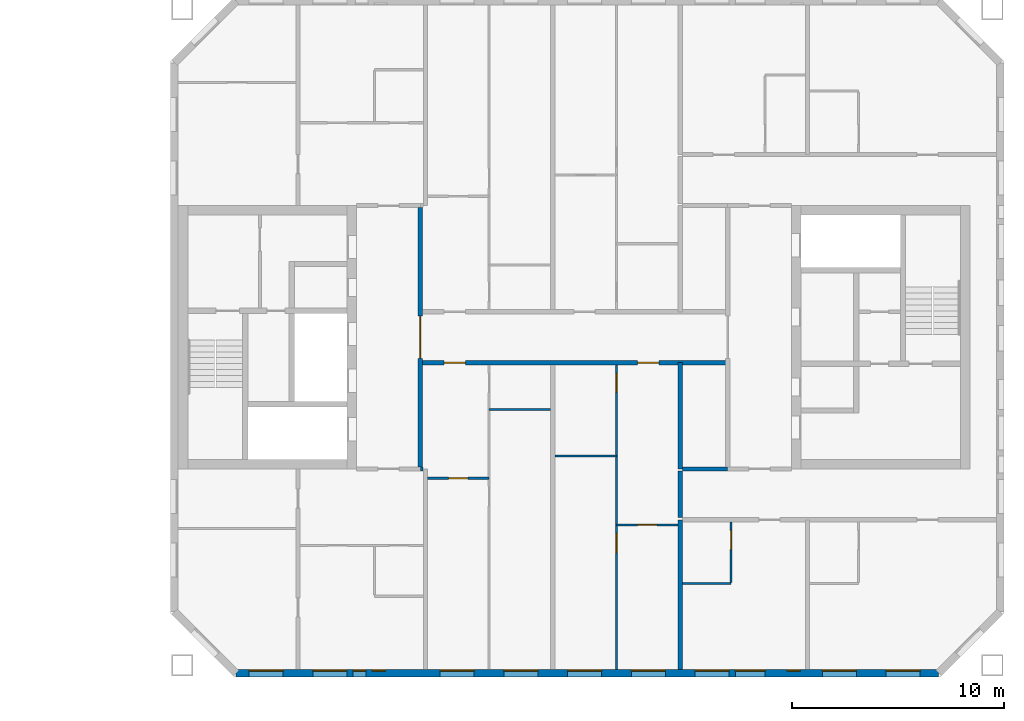
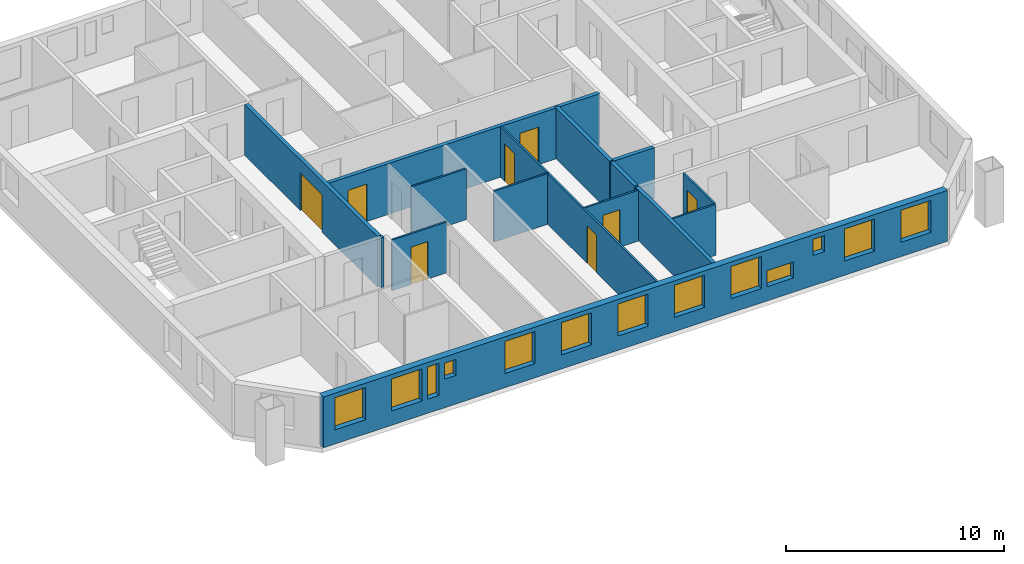
# One storey, part 10 of 16: 15 walls, 13 windows, 8 doors, 21 openings.
"""IFC4 building model written with IfcOpenShell, lengths in metres."""

from ifc_helpers import new_model, si_unit, direction, frame, frame_2d, origin, place, context, subcontext, project, spatial, rectangle, extrude, material, layer, layer_set, type_object, element, fill, save


model = new_model("IFC4")

# Units and contexts
model_context = context("Model", 3, precision=1e-05, world=origin(), true_north=direction((0.0, 1.0)))
body_context = subcontext(model_context, "Body", "Model", "MODEL_VIEW")
ifc_project = project(units=[si_unit("LENGTHUNIT", "METRE"), si_unit("AREAUNIT", "SQUARE_METRE"), si_unit("VOLUMEUNIT", "CUBIC_METRE"), si_unit("PLANEANGLEUNIT", "RADIAN"), si_unit("MASSUNIT", "GRAM", prefix="KILO")], contexts=[model_context])

# Site, building, storey
site_placement = place(None, origin())
site = spatial("IfcSite", under=ifc_project, at=site_placement, CompositionType="ELEMENT")
building_placement = place(site_placement, origin())
building = spatial("IfcBuilding", under=site, at=building_placement, Name="Tuart Gate Housing", CompositionType="ELEMENT")
storey_placement = place(building_placement, frame((0.0, 0.0, 182.0)))
storey = spatial("IfcBuildingStorey", under=building, at=storey_placement, Name="L51", CompositionType="ELEMENT", Elevation=182.0)

# Wall, openings, windows
ifc_material_1 = material(Name="Brick", Category="masonry")
ifc_layer_1 = layer(ifc_material_1, 0.360107421875)
ifc_layer_set_1 = layer_set([ifc_layer_1], Name="Brick pier and spandrel wall 360")
wall_type_1 = type_object("IfcWallType", Name="Brick pier and spandrel wall 360", PredefinedType="STANDARD", material=ifc_layer_set_1)
wall_1_placement = place(storey_placement, frame((134.07470703125, 54.179931640625, 0.0), z_axis=(0.0, 0.0, 1.0), x_axis=(1.0, 0.0, 0.0)))
wall_1 = element("IfcWall", 1, at=wall_1_placement, inside=storey, type_object=wall_type_1, Name="External wall B-S L51", PredefinedType="STANDARD", context=body_context, shape_type="SweptSolid", body=[
    extrude(rectangle(XDim=33.100830078125, YDim=0.360107421875, at=frame_2d((16.55029296875, 0.0))), origin(), (0.0, 0.0, 1.0), 2.85009765625),
])
opening_1_placement = place(wall_1_placement, frame((0.62548828125, 0.0, 0.800048828125)))
opening_1 = element("IfcOpeningElement", 2, at=opening_1_placement, cuts=wall_1, Name="Opening W1", PredefinedType="OPENING", context=body_context, shape_type="SweptSolid", body=[
    extrude(rectangle(XDim=1.60009765625, YDim=1.800048828125, at=frame_2d((0.800048828125, 0.89990234375))), frame((0.0, 0.18994140625, 0.0), z_axis=(0.0, -1.0, 0.0), x_axis=(1.0, 0.0, 0.0)), (0.0, 0.0, 1.0), 0.380126953125),
])
opening_2_placement = place(wall_1_placement, frame((3.62548828125, 0.0, 0.800048828125)))
opening_2 = element("IfcOpeningElement", 3, at=opening_2_placement, cuts=wall_1, Name="Opening W1", PredefinedType="OPENING", context=body_context, shape_type="SweptSolid", body=[
    extrude(rectangle(XDim=1.60009765625, YDim=1.800048828125, at=frame_2d((0.800048828125, 0.89990234375))), frame((0.0, 0.18994140625, 0.0), z_axis=(0.0, -1.0, 0.0), x_axis=(1.0, 0.0, 0.0)), (0.0, 0.0, 1.0), 0.380126953125),
])
opening_3_placement = place(wall_1_placement, frame((5.525390625, 0.0, 0.800048828125)))
opening_3 = element("IfcOpeningElement", 4, at=opening_3_placement, cuts=wall_1, Name="Opening W1E", PredefinedType="OPENING", context=body_context, shape_type="SweptSolid", body=[
    extrude(rectangle(XDim=0.60009765625, YDim=1.800048828125, at=frame_2d((0.300048828125, 0.89990234375))), frame((0.0, 0.18994140625, 0.0), z_axis=(0.0, -1.0, 0.0), x_axis=(1.0, 0.0, 0.0)), (0.0, 0.0, 1.0), 0.380126953125),
])
opening_4_placement = place(wall_1_placement, frame((9.62548828125, 0.0, 0.800048828125)))
opening_4 = element("IfcOpeningElement", 5, at=opening_4_placement, cuts=wall_1, Name="Opening W1", PredefinedType="OPENING", context=body_context, shape_type="SweptSolid", body=[
    extrude(rectangle(XDim=1.60009765625, YDim=1.800048828125, at=frame_2d((0.800048828125, 0.89990234375))), frame((0.0, 0.18994140625, 0.0), z_axis=(0.0, -1.0, 0.0), x_axis=(1.0, 0.0, 0.0)), (0.0, 0.0, 1.0), 0.380126953125),
])
opening_5_placement = place(wall_1_placement, frame((12.62548828125, 0.0, 0.800048828125)))
opening_5 = element("IfcOpeningElement", 6, at=opening_5_placement, cuts=wall_1, Name="Opening W1", PredefinedType="OPENING", context=body_context, shape_type="SweptSolid", body=[
    extrude(rectangle(XDim=1.60009765625, YDim=1.800048828125, at=frame_2d((0.800048828125, 0.89990234375))), frame((0.0, 0.18994140625, 0.0), z_axis=(0.0, -1.0, 0.0), x_axis=(1.0, 0.0, 0.0)), (0.0, 0.0, 1.0), 0.380126953125),
])
opening_6_placement = place(wall_1_placement, frame((15.62548828125, 0.0, 0.800048828125)))
opening_6 = element("IfcOpeningElement", 7, at=opening_6_placement, cuts=wall_1, Name="Opening W1", PredefinedType="OPENING", context=body_context, shape_type="SweptSolid", body=[
    extrude(rectangle(XDim=1.60009765625, YDim=1.800048828125, at=frame_2d((0.800048828125, 0.89990234375))), frame((0.0, 0.18994140625, 0.0), z_axis=(0.0, -1.0, 0.0), x_axis=(1.0, 0.0, 0.0)), (0.0, 0.0, 1.0), 0.380126953125),
])
opening_7_placement = place(wall_1_placement, frame((18.62548828125, 0.0, 0.800048828125)))
opening_7 = element("IfcOpeningElement", 8, at=opening_7_placement, cuts=wall_1, Name="Opening W1", PredefinedType="OPENING", context=body_context, shape_type="SweptSolid", body=[
    extrude(rectangle(XDim=1.60009765625, YDim=1.800048828125, at=frame_2d((0.800048828125, 0.89990234375))), frame((0.0, 0.18994140625, 0.0), z_axis=(0.0, -1.0, 0.0), x_axis=(1.0, 0.0, 0.0)), (0.0, 0.0, 1.0), 0.380126953125),
])
opening_8_placement = place(wall_1_placement, frame((21.62548828125, 0.0, 0.800048828125)))
opening_8 = element("IfcOpeningElement", 9, at=opening_8_placement, cuts=wall_1, Name="Opening W1", PredefinedType="OPENING", context=body_context, shape_type="SweptSolid", body=[
    extrude(rectangle(XDim=1.60009765625, YDim=1.800048828125, at=frame_2d((0.800048828125, 0.89990234375))), frame((0.0, 0.18994140625, 0.0), z_axis=(0.0, -1.0, 0.0), x_axis=(1.0, 0.0, 0.0)), (0.0, 0.0, 1.0), 0.380126953125),
])
opening_9_placement = place(wall_1_placement, frame((23.525390625, 0.0, 0.800048828125)))
opening_9 = element("IfcOpeningElement", 10, at=opening_9_placement, cuts=wall_1, Name="Opening W1S", PredefinedType="OPENING", context=body_context, shape_type="SweptSolid", body=[
    extrude(rectangle(XDim=1.39990234375, YDim=0.89990234375, at=frame_2d((0.699951171875, 0.449951171875))), frame((0.0, 0.18994140625, 0.0), z_axis=(0.0, -1.0, 0.0), x_axis=(1.0, 0.0, 0.0)), (0.0, 0.0, 1.0), 0.380126953125),
])
opening_10_placement = place(wall_1_placement, frame((27.62548828125, 0.0, 0.800048828125)))
opening_10 = element("IfcOpeningElement", 11, at=opening_10_placement, cuts=wall_1, Name="Opening W1", PredefinedType="OPENING", context=body_context, shape_type="SweptSolid", body=[
    extrude(rectangle(XDim=1.60009765625, YDim=1.800048828125, at=frame_2d((0.800048828125, 0.89990234375))), frame((0.0, 0.18994140625, 0.0), z_axis=(0.0, -1.0, 0.0), x_axis=(1.0, 0.0, 0.0)), (0.0, 0.0, 1.0), 0.380126953125),
])
opening_11_placement = place(wall_1_placement, frame((30.62548828125, 0.0, 0.800048828125)))
opening_11 = element("IfcOpeningElement", 12, at=opening_11_placement, cuts=wall_1, Name="Opening W1", PredefinedType="OPENING", context=body_context, shape_type="SweptSolid", body=[
    extrude(rectangle(XDim=1.60009765625, YDim=1.800048828125, at=frame_2d((0.800048828125, 0.89990234375))), frame((0.0, 0.18994140625, 0.0), z_axis=(0.0, -1.0, 0.0), x_axis=(1.0, 0.0, 0.0)), (0.0, 0.0, 1.0), 0.380126953125),
])
opening_12_placement = place(wall_1_placement, frame((6.42529296875, 0.0, 1.60009765625)))
opening_12 = element("IfcOpeningElement", 13, at=opening_12_placement, cuts=wall_1, Name="Opening W1W", PredefinedType="OPENING", context=body_context, shape_type="SweptSolid", body=[
    extrude(rectangle(XDim=0.60009765625, YDim=0.89990234375, at=frame_2d((0.300048828125, 0.449951171875))), frame((0.0, 0.18994140625, 0.0), z_axis=(0.0, -1.0, 0.0), x_axis=(1.0, 0.0, 0.0)), (0.0, 0.0, 1.0), 0.380126953125),
])
opening_13_placement = place(wall_1_placement, frame((25.975341796875, 0.0, 1.699951171875)))
opening_13 = element("IfcOpeningElement", 14, at=opening_13_placement, cuts=wall_1, Name="Opening W1W", PredefinedType="OPENING", context=body_context, shape_type="SweptSolid", body=[
    extrude(rectangle(XDim=0.60009765625, YDim=0.89990234375, at=frame_2d((0.300048828125, 0.449951171875))), frame((0.0, 0.18994140625, 0.0), z_axis=(0.0, -1.0, 0.0), x_axis=(1.0, 0.0, 0.0)), (0.0, 0.0, 1.0), 0.380126953125),
])
ifc_material_2 = material(Name="Aluminium frame with clear glass", Category="aluminium")
window_type_1 = type_object("IfcWindowType", Name="Punched window 1400 x 900", PartitioningType="SINGLE_PANEL", PredefinedType="WINDOW", material=ifc_material_2)
window_1_placement = place(opening_9_placement, origin())
window_1 = element("IfcWindow", 15, at=window_1_placement, inside=storey, type_object=window_type_1, Name="Window W1S", OverallHeight=0.89990234375, OverallWidth=1.39990234375, PartitioningType="SINGLE_PANEL", PredefinedType="WINDOW", context=body_context, shape_type="SweptSolid", body=[
    extrude(rectangle(XDim=1.39990234375, YDim=0.89990234375, at=frame_2d((0.699951171875, 0.449951171875))), frame((0.0, 0.150146484375, 0.0), z_axis=(0.0, -1.0, 0.0), x_axis=(1.0, 0.0, 0.0)), (0.0, 0.0, 1.0), 0.06005859375),
])
fill(opening_9, window_1)
ifc_material_3 = material(Name="Aluminium frame with clear glass", Category="aluminium")
window_type_2 = type_object("IfcWindowType", Name="Punched window 1600 x 1800", PartitioningType="SINGLE_PANEL", PredefinedType="WINDOW", material=ifc_material_3)
window_2_placement = place(opening_1_placement, origin())
window_2 = element("IfcWindow", 16, at=window_2_placement, inside=storey, type_object=window_type_2, Name="Window W1", OverallHeight=1.800048828125, OverallWidth=1.60009765625, PartitioningType="SINGLE_PANEL", PredefinedType="WINDOW", context=body_context, shape_type="SweptSolid", body=[
    extrude(rectangle(XDim=1.60009765625, YDim=1.800048828125, at=frame_2d((0.800048828125, 0.89990234375))), frame((0.0, 0.150146484375, 0.0), z_axis=(0.0, -1.0, 0.0), x_axis=(1.0, 0.0, 0.0)), (0.0, 0.0, 1.0), 0.06005859375),
])
fill(opening_1, window_2)
window_3_placement = place(opening_2_placement, origin())
window_3 = element("IfcWindow", 17, at=window_3_placement, inside=storey, type_object=window_type_2, Name="Window W1", OverallHeight=1.800048828125, OverallWidth=1.60009765625, PartitioningType="SINGLE_PANEL", PredefinedType="WINDOW", context=body_context, shape_type="SweptSolid", body=[
    extrude(rectangle(XDim=1.60009765625, YDim=1.800048828125, at=frame_2d((0.800048828125, 0.89990234375))), frame((0.0, 0.150146484375, 0.0), z_axis=(0.0, -1.0, 0.0), x_axis=(1.0, 0.0, 0.0)), (0.0, 0.0, 1.0), 0.06005859375),
])
fill(opening_2, window_3)
window_4_placement = place(opening_4_placement, origin())
window_4 = element("IfcWindow", 18, at=window_4_placement, inside=storey, type_object=window_type_2, Name="Window W1", OverallHeight=1.800048828125, OverallWidth=1.60009765625, PartitioningType="SINGLE_PANEL", PredefinedType="WINDOW", context=body_context, shape_type="SweptSolid", body=[
    extrude(rectangle(XDim=1.60009765625, YDim=1.800048828125, at=frame_2d((0.800048828125, 0.89990234375))), frame((0.0, 0.150146484375, 0.0), z_axis=(0.0, -1.0, 0.0), x_axis=(1.0, 0.0, 0.0)), (0.0, 0.0, 1.0), 0.06005859375),
])
fill(opening_4, window_4)
window_5_placement = place(opening_5_placement, origin())
window_5 = element("IfcWindow", 19, at=window_5_placement, inside=storey, type_object=window_type_2, Name="Window W1", OverallHeight=1.800048828125, OverallWidth=1.60009765625, PartitioningType="SINGLE_PANEL", PredefinedType="WINDOW", context=body_context, shape_type="SweptSolid", body=[
    extrude(rectangle(XDim=1.60009765625, YDim=1.800048828125, at=frame_2d((0.800048828125, 0.89990234375))), frame((0.0, 0.150146484375, 0.0), z_axis=(0.0, -1.0, 0.0), x_axis=(1.0, 0.0, 0.0)), (0.0, 0.0, 1.0), 0.06005859375),
])
fill(opening_5, window_5)
window_6_placement = place(opening_6_placement, origin())
window_6 = element("IfcWindow", 20, at=window_6_placement, inside=storey, type_object=window_type_2, Name="Window W1", OverallHeight=1.800048828125, OverallWidth=1.60009765625, PartitioningType="SINGLE_PANEL", PredefinedType="WINDOW", context=body_context, shape_type="SweptSolid", body=[
    extrude(rectangle(XDim=1.60009765625, YDim=1.800048828125, at=frame_2d((0.800048828125, 0.89990234375))), frame((0.0, 0.150146484375, 0.0), z_axis=(0.0, -1.0, 0.0), x_axis=(1.0, 0.0, 0.0)), (0.0, 0.0, 1.0), 0.06005859375),
])
fill(opening_6, window_6)
window_7_placement = place(opening_7_placement, origin())
window_7 = element("IfcWindow", 21, at=window_7_placement, inside=storey, type_object=window_type_2, Name="Window W1", OverallHeight=1.800048828125, OverallWidth=1.60009765625, PartitioningType="SINGLE_PANEL", PredefinedType="WINDOW", context=body_context, shape_type="SweptSolid", body=[
    extrude(rectangle(XDim=1.60009765625, YDim=1.800048828125, at=frame_2d((0.800048828125, 0.89990234375))), frame((0.0, 0.150146484375, 0.0), z_axis=(0.0, -1.0, 0.0), x_axis=(1.0, 0.0, 0.0)), (0.0, 0.0, 1.0), 0.06005859375),
])
fill(opening_7, window_7)
window_8_placement = place(opening_8_placement, origin())
window_8 = element("IfcWindow", 22, at=window_8_placement, inside=storey, type_object=window_type_2, Name="Window W1", OverallHeight=1.800048828125, OverallWidth=1.60009765625, PartitioningType="SINGLE_PANEL", PredefinedType="WINDOW", context=body_context, shape_type="SweptSolid", body=[
    extrude(rectangle(XDim=1.60009765625, YDim=1.800048828125, at=frame_2d((0.800048828125, 0.89990234375))), frame((0.0, 0.150146484375, 0.0), z_axis=(0.0, -1.0, 0.0), x_axis=(1.0, 0.0, 0.0)), (0.0, 0.0, 1.0), 0.06005859375),
])
fill(opening_8, window_8)
window_9_placement = place(opening_10_placement, origin())
window_9 = element("IfcWindow", 23, at=window_9_placement, inside=storey, type_object=window_type_2, Name="Window W1", OverallHeight=1.800048828125, OverallWidth=1.60009765625, PartitioningType="SINGLE_PANEL", PredefinedType="WINDOW", context=body_context, shape_type="SweptSolid", body=[
    extrude(rectangle(XDim=1.60009765625, YDim=1.800048828125, at=frame_2d((0.800048828125, 0.89990234375))), frame((0.0, 0.150146484375, 0.0), z_axis=(0.0, -1.0, 0.0), x_axis=(1.0, 0.0, 0.0)), (0.0, 0.0, 1.0), 0.06005859375),
])
fill(opening_10, window_9)
window_10_placement = place(opening_11_placement, origin())
window_10 = element("IfcWindow", 24, at=window_10_placement, inside=storey, type_object=window_type_2, Name="Window W1", OverallHeight=1.800048828125, OverallWidth=1.60009765625, PartitioningType="SINGLE_PANEL", PredefinedType="WINDOW", context=body_context, shape_type="SweptSolid", body=[
    extrude(rectangle(XDim=1.60009765625, YDim=1.800048828125, at=frame_2d((0.800048828125, 0.89990234375))), frame((0.0, 0.150146484375, 0.0), z_axis=(0.0, -1.0, 0.0), x_axis=(1.0, 0.0, 0.0)), (0.0, 0.0, 1.0), 0.06005859375),
])
fill(opening_11, window_10)
ifc_material_4 = material(Name="Aluminium frame with clear glass", Category="aluminium")
window_type_3 = type_object("IfcWindowType", Name="Punched window 600 x 1800", PartitioningType="SINGLE_PANEL", PredefinedType="WINDOW", material=ifc_material_4)
window_11_placement = place(opening_3_placement, origin())
window_11 = element("IfcWindow", 25, at=window_11_placement, inside=storey, type_object=window_type_3, Name="Window W1E", OverallHeight=1.800048828125, OverallWidth=0.60009765625, PartitioningType="SINGLE_PANEL", PredefinedType="WINDOW", context=body_context, shape_type="SweptSolid", body=[
    extrude(rectangle(XDim=0.60009765625, YDim=1.800048828125, at=frame_2d((0.300048828125, 0.89990234375))), frame((0.0, 0.150146484375, 0.0), z_axis=(0.0, -1.0, 0.0), x_axis=(1.0, 0.0, 0.0)), (0.0, 0.0, 1.0), 0.06005859375),
])
fill(opening_3, window_11)
ifc_material_5 = material(Name="Aluminium frame with clear glass", Category="aluminium")
window_type_4 = type_object("IfcWindowType", Name="Punched window 600 x 900", PartitioningType="SINGLE_PANEL", PredefinedType="WINDOW", material=ifc_material_5)
window_12_placement = place(opening_12_placement, origin())
window_12 = element("IfcWindow", 26, at=window_12_placement, inside=storey, type_object=window_type_4, Name="Window W1W", OverallHeight=0.89990234375, OverallWidth=0.60009765625, PartitioningType="SINGLE_PANEL", PredefinedType="WINDOW", context=body_context, shape_type="SweptSolid", body=[
    extrude(rectangle(XDim=0.60009765625, YDim=0.89990234375, at=frame_2d((0.300048828125, 0.449951171875))), frame((0.0, 0.150146484375, 0.0), z_axis=(0.0, -1.0, 0.0), x_axis=(1.0, 0.0, 0.0)), (0.0, 0.0, 1.0), 0.06005859375),
])
fill(opening_12, window_12)
window_13_placement = place(opening_13_placement, origin())
window_13 = element("IfcWindow", 27, at=window_13_placement, inside=storey, type_object=window_type_4, Name="Window W1W", OverallHeight=0.89990234375, OverallWidth=0.60009765625, PartitioningType="SINGLE_PANEL", PredefinedType="WINDOW", context=body_context, shape_type="SweptSolid", body=[
    extrude(rectangle(XDim=0.60009765625, YDim=0.89990234375, at=frame_2d((0.300048828125, 0.449951171875))), frame((0.0, 0.150146484375, 0.0), z_axis=(0.0, -1.0, 0.0), x_axis=(1.0, 0.0, 0.0)), (0.0, 0.0, 1.0), 0.06005859375),
])
fill(opening_13, window_13)

# Wall
ifc_material_6 = material(Name="Concrete masonry 15 MPa", Category="masonry")
ifc_layer_2 = layer(ifc_material_6, 0.199951171875)
ifc_layer_set_2 = layer_set([ifc_layer_2], Name="Corridor wall masonry 200")
wall_type_2 = type_object("IfcWallType", Name="Corridor wall masonry 200", PredefinedType="PARTITIONING", material=ifc_layer_set_2)
wall_2_placement = place(storey_placement, frame((155.10009765625, 63.800048828125, 0.0), z_axis=(0.0, 0.0, 1.0), x_axis=(1.0, 0.0, 0.0)))
element("IfcWall", 28, at=wall_2_placement, inside=storey, type_object=wall_type_2, Name="Corridor wall masonry 200", PredefinedType="PARTITIONING", context=body_context, shape_type="SweptSolid", body=[
    extrude(rectangle(XDim=2.139892578125, YDim=0.199951171875, at=frame_2d((1.06982421875, 0.0))), origin(), (0.0, 0.0, 1.0), 2.85009765625),
])

# Wall, openings, doors
wall_3_placement = place(storey_placement, frame((142.760009765625, 68.800048828125, 0.0), z_axis=(0.0, 0.0, 1.0), x_axis=(1.0, 0.0, 0.0)))
wall_3 = element("IfcWall", 29, at=wall_3_placement, inside=storey, type_object=wall_type_2, Name="Corridor wall masonry 200", PredefinedType="PARTITIONING", context=body_context, shape_type="SweptSolid", body=[
    extrude(rectangle(XDim=14.47998046875, YDim=0.199951171875, at=frame_2d((7.239990234375, 0.0))), origin(), (0.0, 0.0, 1.0), 2.85009765625),
])
opening_14_placement = place(wall_3_placement, frame((1.1201171875, 0.0, 0.0)))
opening_14 = element("IfcOpeningElement", 30, at=opening_14_placement, cuts=wall_3, Name="Opening D1820", PredefinedType="OPENING", context=body_context, shape_type="SweptSolid", body=[
    extrude(rectangle(XDim=1.0, YDim=2.10009765625, at=frame_2d((0.5, 1.050048828125))), frame((0.0, 0.10986328125, 0.0), z_axis=(0.0, -1.0, 0.0), x_axis=(1.0, 0.0, 0.0)), (0.0, 0.0, 1.0), 0.219970703125),
])
opening_15_placement = place(wall_3_placement, frame((10.239990234375, 0.0, 0.0)))
opening_15 = element("IfcOpeningElement", 31, at=opening_15_placement, cuts=wall_3, Name="Opening D1821", PredefinedType="OPENING", context=body_context, shape_type="SweptSolid", body=[
    extrude(rectangle(XDim=1.0, YDim=2.10009765625, at=frame_2d((0.5, 1.050048828125))), frame((0.0, 0.10986328125, 0.0), z_axis=(0.0, -1.0, 0.0), x_axis=(1.0, 0.0, 0.0)), (0.0, 0.0, 1.0), 0.219970703125),
])
ifc_material_7 = material(Name="Timber door leaf in steel frame", Category="steel")
door_type_1 = type_object("IfcDoorType", Name="Flat entrance door 1000 RH", OperationType="SINGLE_SWING_RIGHT", PredefinedType="DOOR", material=ifc_material_7)
door_1_placement = place(opening_14_placement, frame((1.0, 0.0, 0.0), z_axis=(0.0, 0.0, 1.0), x_axis=(-1.0, 0.0, 0.0)))
door_1 = element("IfcDoor", 32, at=door_1_placement, inside=storey, type_object=door_type_1, Name="Flat entrance door", OperationType="SINGLE_SWING_RIGHT", OverallHeight=2.10009765625, OverallWidth=1.0, PredefinedType="DOOR", context=body_context, shape_type="SweptSolid", body=[
    extrude(rectangle(XDim=1.0, YDim=2.10009765625, at=frame_2d((0.5, 1.050048828125))), frame((0.0, 0.025146484375, 0.0), z_axis=(0.0, -1.0, 0.0), x_axis=(1.0, 0.0, 0.0)), (0.0, 0.0, 1.0), 0.050048828125),
])
fill(opening_14, door_1)
door_2_placement = place(opening_15_placement, frame((1.0, 0.0, 0.0), z_axis=(0.0, 0.0, 1.0), x_axis=(-1.0, 0.0, 0.0)))
door_2 = element("IfcDoor", 33, at=door_2_placement, inside=storey, type_object=door_type_1, Name="Flat entrance door", OperationType="SINGLE_SWING_RIGHT", OverallHeight=2.10009765625, OverallWidth=1.0, PredefinedType="DOOR", context=body_context, shape_type="SweptSolid", body=[
    extrude(rectangle(XDim=1.0, YDim=2.10009765625, at=frame_2d((0.5, 1.050048828125))), frame((0.0, 0.025146484375, 0.0), z_axis=(0.0, -1.0, 0.0), x_axis=(1.0, 0.0, 0.0)), (0.0, 0.0, 1.0), 0.050048828125),
])
fill(opening_15, door_2)

# Wall
wall_4_placement = place(storey_placement, frame((155.0, 61.5, 0.0), z_axis=(0.0, 0.0, 1.0), x_axis=(0.0, 1.0, 0.0)))
element("IfcWall", 34, at=wall_4_placement, inside=storey, type_object=wall_type_2, Name="Corridor wall masonry 200", PredefinedType="PARTITIONING", context=body_context, shape_type="SweptSolid", body=[
    extrude(rectangle(XDim=2.199951171875, YDim=0.199951171875, at=frame_2d((1.10009765625, 0.0))), origin(), (0.0, 0.0, 1.0), 2.85009765625),
])

# Wall, opening, door
ifc_material_8 = material(Name="Plasterboard partition")
ifc_layer_3 = layer(ifc_material_8, 0.199951171875)
ifc_layer_set_3 = layer_set([ifc_layer_3], Name="Lobby wall 200")
wall_type_3 = type_object("IfcWallType", Name="Lobby wall 200", PredefinedType="PARTITIONING", material=ifc_layer_set_3)
wall_5_placement = place(storey_placement, frame((142.760009765625, 63.89990234375, 0.0), z_axis=(0.0, 0.0, 1.0), x_axis=(0.0, 1.0, 0.0)))
wall_5 = element("IfcWall", 35, at=wall_5_placement, inside=storey, type_object=wall_type_3, Name="Lift lobby wall BG", PredefinedType="PARTITIONING", context=body_context, shape_type="SweptSolid", body=[
    extrude(rectangle(XDim=12.2001953125, YDim=0.199951171875, at=frame_2d((6.10009765625, 0.0))), origin(), (0.0, 0.0, 1.0), 2.85009765625),
])
opening_16_placement = place(wall_5_placement, frame((5.10009765625, 0.0, 0.0)))
opening_16 = element("IfcOpeningElement", 36, at=opening_16_placement, cuts=wall_5, Name="Opening D1815", PredefinedType="OPENING", context=body_context, shape_type="SweptSolid", body=[
    extrude(rectangle(XDim=2.0, YDim=2.10009765625, at=frame_2d((1.0, 1.050048828125))), frame((0.0, 0.10986328125, 0.0), z_axis=(0.0, -1.0, 0.0), x_axis=(1.0, 0.0, 0.0)), (0.0, 0.0, 1.0), 0.219970703125),
])
ifc_material_9 = material(Name="Steel fire door", Category="steel")
door_type_2 = type_object("IfcDoorType", Name="Smoke door 2000 x 2100", OperationType="DOUBLE_DOOR_SINGLE_SWING", PredefinedType="DOOR", material=ifc_material_9)
door_3_placement = place(opening_16_placement, origin())
door_3 = element("IfcDoor", 37, at=door_3_placement, inside=storey, type_object=door_type_2, Name="Lift lobby smoke door BG", OperationType="DOUBLE_DOOR_SINGLE_SWING", OverallHeight=2.10009765625, OverallWidth=2.0, PredefinedType="DOOR", context=body_context, shape_type="SweptSolid", body=[
    extrude(rectangle(XDim=2.0, YDim=2.10009765625, at=frame_2d((1.0, 1.050048828125))), frame((0.0, 0.02490234375, 0.0), z_axis=(0.0, -1.0, 0.0), x_axis=(1.0, 0.0, 0.0)), (0.0, 0.0, 1.0), 0.050048828125),
])
fill(opening_16, door_3)

# Wall
ifc_material_10 = material(Name="Gypsum board on steel studs", Category="steel")
ifc_layer_4 = layer(ifc_material_10, 0.10009765625)
ifc_layer_set_4 = layer_set([ifc_layer_4], Name="Partition 100")
wall_type_4 = type_object("IfcWallType", Name="Partition 100", PredefinedType="PARTITIONING", material=ifc_layer_set_4)
wall_6_placement = place(storey_placement, frame((155.10009765625, 58.39990234375, 0.0), z_axis=(0.0, 0.0, 1.0), x_axis=(1.0, 0.0, 0.0)))
element("IfcWall", 38, at=wall_6_placement, inside=storey, type_object=wall_type_4, Name="Partition 100", PredefinedType="PARTITIONING", context=body_context, shape_type="SweptSolid", body=[
    extrude(rectangle(XDim=2.2998046875, YDim=0.10009765625, at=frame_2d((1.14990234375, 0.0))), origin(), (0.0, 0.0, 1.0), 2.85009765625),
])

# Wall, opening, door
wall_7_placement = place(storey_placement, frame((152.0, 61.159912109375, 0.0), z_axis=(0.0, 0.0, 1.0), x_axis=(1.0, 0.0, 0.0)))
wall_7 = element("IfcWall", 39, at=wall_7_placement, inside=storey, type_object=wall_type_4, Name="Partition 100", PredefinedType="PARTITIONING", context=body_context, shape_type="SweptSolid", body=[
    extrude(rectangle(XDim=2.89990234375, YDim=0.10009765625, at=frame_2d((1.449951171875, 0.0))), origin(), (0.0, 0.0, 1.0), 2.85009765625),
])
opening_17_placement = place(wall_7_placement, frame((1.0, 0.0, 0.0)))
opening_17 = element("IfcOpeningElement", 40, at=opening_17_placement, cuts=wall_7, Name="Opening D1833", PredefinedType="OPENING", context=body_context, shape_type="SweptSolid", body=[
    extrude(rectangle(XDim=0.89990234375, YDim=2.10009765625, at=frame_2d((0.449951171875, 1.050048828125))), frame((0.0, 0.06005859375, 0.0), z_axis=(0.0, -1.0, 0.0), x_axis=(1.0, 0.0, 0.0)), (0.0, 0.0, 1.0), 0.1201171875),
])
ifc_material_11 = material(Name="Timber door leaf in steel frame", Category="steel")
door_type_3 = type_object("IfcDoorType", Name="Internal door 900", OperationType="SINGLE_SWING_LEFT", PredefinedType="DOOR", material=ifc_material_11)
door_4_placement = place(opening_17_placement, origin())
door_4 = element("IfcDoor", 41, at=door_4_placement, inside=storey, type_object=door_type_3, Name="Internal door", OperationType="SINGLE_SWING_LEFT", OverallHeight=2.10009765625, OverallWidth=0.89990234375, PredefinedType="DOOR", context=body_context, shape_type="SweptSolid", body=[
    extrude(rectangle(XDim=0.89990234375, YDim=2.10009765625, at=frame_2d((0.449951171875, 1.050048828125))), frame((0.0, 0.02490234375, 0.0), z_axis=(0.0, -1.0, 0.0), x_axis=(1.0, 0.0, 0.0)), (0.0, 0.0, 1.0), 0.050048828125),
])
fill(opening_17, door_4)

wall_8_placement = place(storey_placement, frame((143.10009765625, 63.360107421875, 0.0), z_axis=(0.0, 0.0, 1.0), x_axis=(1.0, 0.0, 0.0)))
wall_8 = element("IfcWall", 42, at=wall_8_placement, inside=storey, type_object=wall_type_4, Name="Partition 100", PredefinedType="PARTITIONING", context=body_context, shape_type="SweptSolid", body=[
    extrude(rectangle(XDim=2.89990234375, YDim=0.10009765625, at=frame_2d((1.449951171875, 0.0))), origin(), (0.0, 0.0, 1.0), 2.85009765625),
])
opening_18_placement = place(wall_8_placement, frame((1.0, 0.0, 0.0)))
opening_18 = element("IfcOpeningElement", 43, at=opening_18_placement, cuts=wall_8, Name="Opening D1826", PredefinedType="OPENING", context=body_context, shape_type="SweptSolid", body=[
    extrude(rectangle(XDim=0.89990234375, YDim=2.10009765625, at=frame_2d((0.449951171875, 1.050048828125))), frame((0.0, 0.06005859375, 0.0), z_axis=(0.0, -1.0, 0.0), x_axis=(1.0, 0.0, 0.0)), (0.0, 0.0, 1.0), 0.1201171875),
])
ifc_material_12 = material(Name="Timber door leaf in steel frame", Category="steel")
door_type_4 = type_object("IfcDoorType", Name="Internal door 900 RH", OperationType="SINGLE_SWING_RIGHT", PredefinedType="DOOR", material=ifc_material_12)
door_5_placement = place(opening_18_placement, origin())
door_5 = element("IfcDoor", 44, at=door_5_placement, inside=storey, type_object=door_type_4, Name="Internal door", OperationType="SINGLE_SWING_RIGHT", OverallHeight=2.10009765625, OverallWidth=0.89990234375, PredefinedType="DOOR", context=body_context, shape_type="SweptSolid", body=[
    extrude(rectangle(XDim=0.89990234375, YDim=2.10009765625, at=frame_2d((0.449951171875, 1.050048828125))), frame((0.0, 0.02490234375, 0.0), z_axis=(0.0, -1.0, 0.0), x_axis=(1.0, 0.0, 0.0)), (0.0, 0.0, 1.0), 0.050048828125),
])
fill(opening_18, door_5)

# Walls
for number, where, z_axis, x_axis, name in (
    (45, (149.10009765625, 64.39990234375, 0.0), (0.0, 0.0, 1.0), (1.0, 0.0, 0.0), "Partition 100"),
    (46, (146.0, 66.60009765625, 0.0), (0.0, 0.0, 1.0), (1.0, 0.0, 0.0), "Partition 100"),
):
    element("IfcWall", number, at=place(storey_placement, frame(where, z_axis=z_axis, x_axis=x_axis)), inside=storey, type_object=wall_type_4, Name=name, PredefinedType="PARTITIONING", context=body_context, shape_type="SweptSolid", body=[
        extrude(rectangle(XDim=2.89990234375, YDim=0.10009765625, at=frame_2d((1.449951171875, 0.0))), origin(), (0.0, 0.0, 1.0), 2.85009765625),
    ])

# Wall, openings, doors
wall_9_placement = place(storey_placement, frame((152.0, 54.360107421875, 0.0), z_axis=(0.0, 0.0, 1.0), x_axis=(0.0, 1.0, 0.0)))
wall_9 = element("IfcWall", 47, at=wall_9_placement, inside=storey, type_object=wall_type_4, Name="Partition 100", PredefinedType="PARTITIONING", context=body_context, shape_type="SweptSolid", body=[
    extrude(rectangle(XDim=14.33984375, YDim=0.10009765625, at=frame_2d((7.169921875, 0.0))), origin(), (0.0, 0.0, 1.0), 2.85009765625),
])
opening_19_placement = place(wall_9_placement, frame((5.5, 0.0, 0.0)))
opening_19 = element("IfcOpeningElement", 48, at=opening_19_placement, cuts=wall_9, Name="Opening D1830", PredefinedType="OPENING", context=body_context, shape_type="SweptSolid", body=[
    extrude(rectangle(XDim=0.89990234375, YDim=2.10009765625, at=frame_2d((0.449951171875, 1.050048828125))), frame((0.0, 0.06005859375, 0.0), z_axis=(0.0, -1.0, 0.0), x_axis=(1.0, 0.0, 0.0)), (0.0, 0.0, 1.0), 0.1201171875),
])
opening_20_placement = place(wall_9_placement, frame((13.0400390625, 0.0, 0.0)))
opening_20 = element("IfcOpeningElement", 49, at=opening_20_placement, cuts=wall_9, Name="Opening D1829", PredefinedType="OPENING", context=body_context, shape_type="SweptSolid", body=[
    extrude(rectangle(XDim=0.89990234375, YDim=2.10009765625, at=frame_2d((0.449951171875, 1.050048828125))), frame((0.0, 0.06005859375, 0.0), z_axis=(0.0, -1.0, 0.0), x_axis=(1.0, 0.0, 0.0)), (0.0, 0.0, 1.0), 0.1201171875),
])
ifc_material_13 = material(Name="Timber door leaf in steel frame", Category="steel")
door_type_5 = type_object("IfcDoorType", Name="Bathroom door 900 RH", OperationType="SINGLE_SWING_RIGHT", PredefinedType="DOOR", material=ifc_material_13)
door_6_placement = place(opening_20_placement, origin())
door_6 = element("IfcDoor", 50, at=door_6_placement, inside=storey, type_object=door_type_5, Name="Bathroom door", OperationType="SINGLE_SWING_RIGHT", OverallHeight=2.10009765625, OverallWidth=0.89990234375, PredefinedType="DOOR", context=body_context, shape_type="SweptSolid", body=[
    extrude(rectangle(XDim=0.89990234375, YDim=2.10009765625, at=frame_2d((0.449951171875, 1.050048828125))), frame((0.0, 0.02490234375, 0.0), z_axis=(0.0, -1.0, 0.0), x_axis=(1.0, 0.0, 0.0)), (0.0, 0.0, 1.0), 0.050048828125),
])
fill(opening_20, door_6)
door_7_placement = place(opening_19_placement, origin())
door_7 = element("IfcDoor", 51, at=door_7_placement, inside=storey, type_object=door_type_4, Name="Internal door", OperationType="SINGLE_SWING_RIGHT", OverallHeight=2.10009765625, OverallWidth=0.89990234375, PredefinedType="DOOR", context=body_context, shape_type="SweptSolid", body=[
    extrude(rectangle(XDim=0.89990234375, YDim=2.10009765625, at=frame_2d((0.449951171875, 1.050048828125))), frame((0.0, 0.02490234375, 0.0), z_axis=(0.0, -1.0, 0.0), x_axis=(1.0, 0.0, 0.0)), (0.0, 0.0, 1.0), 0.050048828125),
])
fill(opening_19, door_7)

# Wall, opening, door
wall_10_placement = place(storey_placement, frame((157.39990234375, 58.449951171875, 0.0), z_axis=(0.0, 0.0, 1.0), x_axis=(0.0, 1.0, 0.0)))
wall_10 = element("IfcWall", 52, at=wall_10_placement, inside=storey, type_object=wall_type_4, Name="Partition 100", PredefinedType="PARTITIONING", context=body_context, shape_type="SweptSolid", body=[
    extrude(rectangle(XDim=2.85009765625, YDim=0.10009765625, at=frame_2d((1.425048828125, 0.0))), origin(), (0.0, 0.0, 1.0), 2.85009765625),
])
opening_21_placement = place(wall_10_placement, frame((1.550048828125, 0.0, 0.0)))
opening_21 = element("IfcOpeningElement", 53, at=opening_21_placement, cuts=wall_10, Name="Opening D1836", PredefinedType="OPENING", context=body_context, shape_type="SweptSolid", body=[
    extrude(rectangle(XDim=0.89990234375, YDim=2.10009765625, at=frame_2d((0.449951171875, 1.050048828125))), frame((0.0, 0.06005859375, 0.0), z_axis=(0.0, -1.0, 0.0), x_axis=(1.0, 0.0, 0.0)), (0.0, 0.0, 1.0), 0.1201171875),
])
door_8_placement = place(opening_21_placement, origin())
door_8 = element("IfcDoor", 54, at=door_8_placement, inside=storey, type_object=door_type_5, Name="Bathroom door", OperationType="SINGLE_SWING_RIGHT", OverallHeight=2.10009765625, OverallWidth=0.89990234375, PredefinedType="DOOR", context=body_context, shape_type="SweptSolid", body=[
    extrude(rectangle(XDim=0.89990234375, YDim=2.10009765625, at=frame_2d((0.449951171875, 1.050048828125))), frame((0.0, 0.02490234375, 0.0), z_axis=(0.0, -1.0, 0.0), x_axis=(1.0, 0.0, 0.0)), (0.0, 0.0, 1.0), 0.050048828125),
])
fill(opening_21, door_8)

# Walls
ifc_material_14 = material(Name="Concrete C40", Category="concrete")
ifc_layer_5 = layer(ifc_material_14, 0.199951171875)
ifc_layer_set_5 = layer_set([ifc_layer_5], Name="Party wall concrete C40 200")
wall_type_5 = type_object("IfcWallType", Name="Party wall concrete C40 200", PredefinedType="SOLIDWALL", material=ifc_layer_set_5)
wall_11_placement = place(storey_placement, frame((155.0, 54.360107421875, 0.0), z_axis=(0.0, 0.0, 1.0), x_axis=(0.0, 1.0, 0.0)))
element("IfcWall", 55, at=wall_11_placement, inside=storey, type_object=wall_type_5, Name="Party wall concrete C40 200", PredefinedType="SOLIDWALL", context=body_context, shape_type="SweptSolid", body=[
    extrude(rectangle(XDim=7.039794921875, YDim=0.199951171875, at=frame_2d((3.52001953125, 0.0))), origin(), (0.0, 0.0, 1.0), 2.85009765625),
])
wall_12_placement = place(storey_placement, frame((155.0, 63.800048828125, 0.0), z_axis=(0.0, 0.0, 1.0), x_axis=(0.0, 1.0, 0.0)))
element("IfcWall", 56, at=wall_12_placement, inside=storey, type_object=wall_type_5, Name="Party wall concrete C40 200", PredefinedType="SOLIDWALL", context=body_context, shape_type="SweptSolid", body=[
    extrude(rectangle(XDim=5.0, YDim=0.199951171875, at=frame_2d((2.5, 0.0))), origin(), (0.0, 0.0, 1.0), 2.85009765625),
])
ifc_material_15 = material(Name="Concrete masonry 15 MPa", Category="masonry")
ifc_layer_6 = layer(ifc_material_15, 0.199951171875)
ifc_layer_set_6 = layer_set([ifc_layer_6], Name="Party wall masonry 200")
wall_type_6 = type_object("IfcWallType", Name="Party wall masonry 200", PredefinedType="PARTITIONING", material=ifc_layer_set_6)
wall_13_placement = place(storey_placement, frame((142.760009765625, 63.800048828125, 0.0), z_axis=(0.0, 0.0, 1.0), x_axis=(1.0, 0.0, 0.0)))
element("IfcWall", 57, at=wall_13_placement, inside=storey, type_object=wall_type_6, Name="Party wall masonry 200", PredefinedType="PARTITIONING", context=body_context, shape_type="SweptSolid", body=[
    extrude(rectangle(XDim=0.139892578125, YDim=0.199951171875, at=frame_2d((0.06982421875, 0.0))), origin(), (0.0, 0.0, 1.0), 2.85009765625),
])

save(model, "model.ifc")
